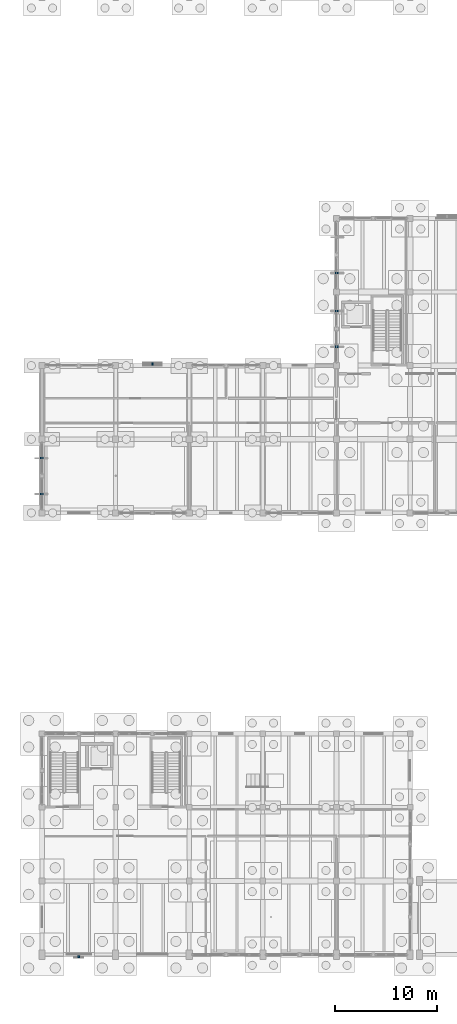
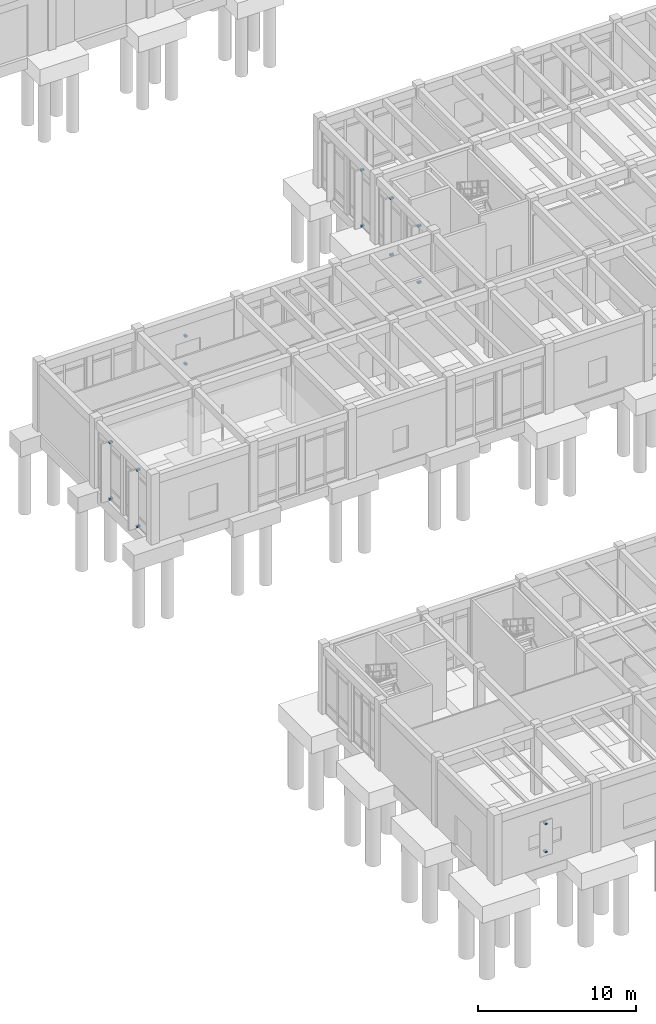
# One storey, part 79 of 93: 14 discrete accessories.
"""IFC4 building model written with IfcOpenShell, lengths in metres."""

from ifc_helpers import new_model, si_unit, direction, frame, origin, origin_2d, place, context, subcontext, project, spatial, rectangle, extrude, material, type_object, element, save


model = new_model("IFC4")

# Units and contexts
model_context = context("Model", 3, precision=1e-05, world=origin(), true_north=direction((0.0, 1.0)))
body_context = subcontext(model_context, "Body", "Model", "MODEL_VIEW")
ifc_project = project(units=[si_unit("LENGTHUNIT", "METRE"), si_unit("AREAUNIT", "SQUARE_METRE"), si_unit("VOLUMEUNIT", "CUBIC_METRE"), si_unit("PLANEANGLEUNIT", "RADIAN"), si_unit("MASSUNIT", "GRAM", prefix="KILO")], contexts=[model_context])

# Site, building, storey
site_placement = place(None, origin())
site = spatial("IfcSite", under=ifc_project, at=site_placement, CompositionType="ELEMENT")
building_placement = place(site_placement, origin())
building = spatial("IfcBuilding", under=site, at=building_placement, Name="Koriwan Promenade Central Fire Station", CompositionType="ELEMENT")
storey_placement = place(building_placement, origin())
storey = spatial("IfcBuildingStorey", under=building, at=storey_placement, Name="L00", CompositionType="ELEMENT", Elevation=0.0)

# Discrete accessories
ifc_material = material(Name="Steel ASTM A572 Grade 50", Category="steel")
discrete_accessory_type_1 = type_object("IfcDiscreteAccessoryType", Name="FacadeBracket_Fin", PredefinedType="BRACKET", material=ifc_material)
for number, where, z_axis, x_axis, name in (
    (1, (-0.02001953125, 45.050048828125, 0.02001953125), (0.0, 0.0, 1.0), (-1.0, 0.0, 0.0), "Solar fin outrigger bracket 001-BOT"),
    (2, (-0.02001953125, 45.050048828125, 4.3798828125), (0.0, 0.0, 1.0), (-1.0, 0.0, 0.0), "Solar fin outrigger bracket 001-TOP"),
    (3, (-0.02001953125, 48.550048828125, 0.02001953125), (0.0, 0.0, 1.0), (-1.0, 0.0, 0.0), "Solar fin outrigger bracket 002-BOT"),
    (4, (-0.02001953125, 48.550048828125, 4.3798828125), (0.0, 0.0, 1.0), (-1.0, 0.0, 0.0), "Solar fin outrigger bracket 002-TOP"),
    (5, (28.820068359375, 59.449951171875, 0.02001953125), (0.0, 0.0, 1.0), (1.0, 0.0, 0.0), "Solar fin outrigger bracket 003-BOT"),
    (6, (28.820068359375, 59.449951171875, 4.3798828125), (0.0, 0.0, 1.0), (1.0, 0.0, 0.0), "Solar fin outrigger bracket 003-TOP"),
    (7, (28.820068359375, 62.949951171875, 0.02001953125), (0.0, 0.0, 1.0), (1.0, 0.0, 0.0), "Solar fin outrigger bracket 004-BOT"),
    (8, (28.820068359375, 62.949951171875, 4.3798828125), (0.0, 0.0, 1.0), (1.0, 0.0, 0.0), "Solar fin outrigger bracket 004-TOP"),
    (9, (28.820068359375, 66.64990234375, 0.02001953125), (0.0, 0.0, 1.0), (1.0, 0.0, 0.0), "Solar fin outrigger bracket 005-BOT"),
    (10, (28.820068359375, 66.64990234375, 4.330078125), (0.0, 0.0, 1.0), (1.0, 0.0, 0.0), "Solar fin outrigger bracket 005-TOP"),
):
    element("IfcDiscreteAccessory", number, at=place(storey_placement, frame(where, z_axis=z_axis, x_axis=x_axis)), inside=storey, type_object=discrete_accessory_type_1, Name=name, PredefinedType="BRACKET", context=body_context, shape_type="SweptSolid", body=[
        extrude(rectangle(XDim=0.260009765625, YDim=0.159912109375, at=origin_2d()), origin(), (0.0, 0.0, 1.0), 0.139892578125),
    ])
discrete_accessory_type_2 = type_object("IfcDiscreteAccessoryType", Name="FacadeBracket_Jali", PredefinedType="BRACKET", material=ifc_material)
for number, where, z_axis, x_axis, name in (
    (11, (3.60009765625, -0.199951171875, 1.10498046875), (0.0, 0.0, 1.0), (0.0, -1.0, 0.0), "Jali corbel bracket 001-B"),
    (12, (3.60009765625, -0.199951171875, 3.264892578125), (0.0, 0.0, 1.0), (0.0, -1.0, 0.0), "Jali corbel bracket 001-T"),
    (13, (10.800048828125, 57.780029296875, 1.054931640625), (0.0, 0.0, 1.0), (0.0, 1.0, 0.0), "Jali corbel bracket 007-B"),
    (14, (10.800048828125, 57.780029296875, 3.21484375), (0.0, 0.0, 1.0), (0.0, 1.0, 0.0), "Jali corbel bracket 007-T"),
):
    element("IfcDiscreteAccessory", number, at=place(storey_placement, frame(where, z_axis=z_axis, x_axis=x_axis)), inside=storey, type_object=discrete_accessory_type_2, Name=name, PredefinedType="BRACKET", context=body_context, shape_type="SweptSolid", body=[
        extrude(rectangle(XDim=0.239990234375, YDim=0.179931640625, at=origin_2d()), origin(), (0.0, 0.0, 1.0), 0.1201171875),
    ])

save(model, "model.ifc")
